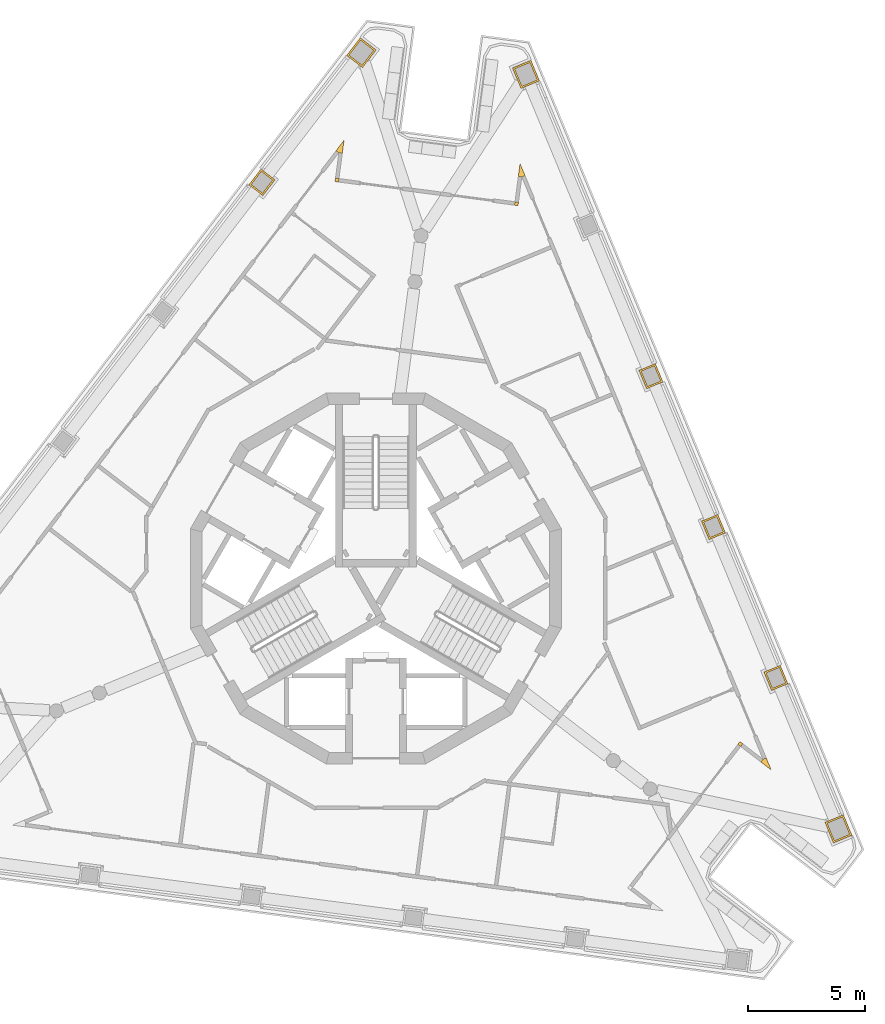
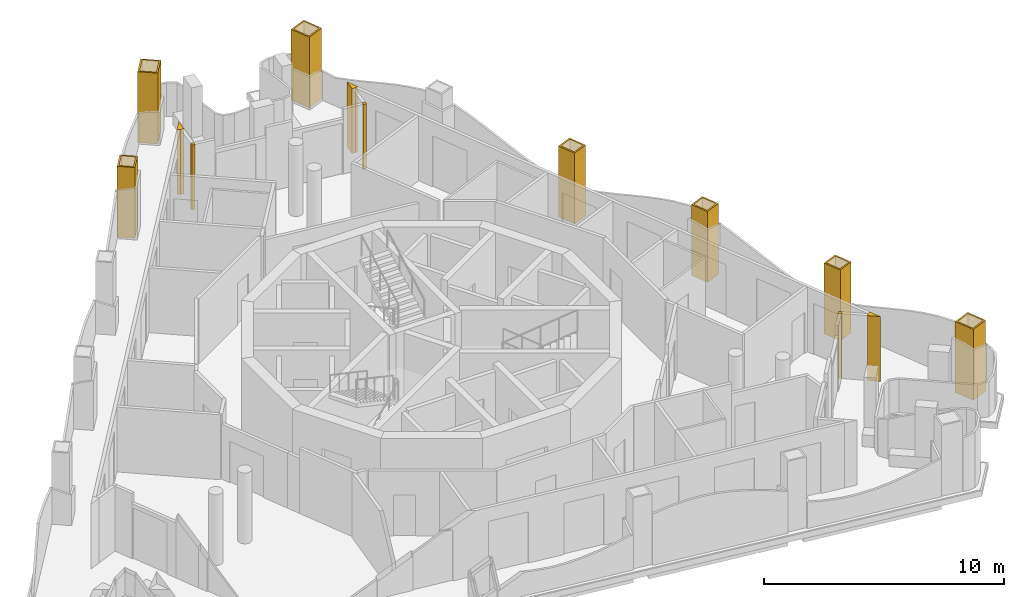
# One storey, part 11 of 12: 13 coverings.
"""IFC4 building model written with IfcOpenShell, lengths in metres."""

from ifc_helpers import new_model, si_unit, direction, frame, origin, place, context, subcontext, project, spatial, polyline, outline, extrude, material, layer, layer_set, type_object, element, save


model = new_model("IFC4")

# Units and contexts
model_context = context("Model", 3, precision=1e-05, world=origin(), true_north=direction((0.0, 1.0)))
body_context = subcontext(model_context, "Body", "Model", "MODEL_VIEW")
ifc_project = project(units=[si_unit("LENGTHUNIT", "METRE"), si_unit("AREAUNIT", "SQUARE_METRE"), si_unit("VOLUMEUNIT", "CUBIC_METRE"), si_unit("PLANEANGLEUNIT", "RADIAN"), si_unit("MASSUNIT", "GRAM", prefix="KILO")], contexts=[model_context])

# Site, building, storey
site_placement = place(None, origin())
site = spatial("IfcSite", under=ifc_project, at=site_placement, CompositionType="ELEMENT")
building_placement = place(site_placement, origin())
building = spatial("IfcBuilding", under=site, at=building_placement, Name="Trine Commons Tower", CompositionType="ELEMENT")
storey_placement = place(building_placement, frame((0.0, 0.0, 282.60009765625)))
storey = spatial("IfcBuildingStorey", under=building, at=storey_placement, Name="L74", CompositionType="ELEMENT", Elevation=282.60009765625)

# Coverings
ifc_material_1 = material(Name="Aluminium-framed insulated wall panel", Category="aluminium")
ifc_layer_1 = layer(ifc_material_1, 0.14990234375)
ifc_layer_set_1 = layer_set([ifc_layer_1], Name="Aluminium-framed insulated wall panel")
covering_type_1 = type_object("IfcCoveringType", Name="Glazing corner post, aluminium", PredefinedType="CLADDING", material=ifc_layer_set_1)
covering_1_placement = place(storey_placement, origin())
element("IfcCovering", 1, at=covering_1_placement, inside=storey, type_object=covering_type_1, Name="Glazing corner post 8-02", PredefinedType="CLADDING", context=body_context, shape_type="SweptSolid", body=[
    extrude(outline(polyline([(78.41845703125, 80.671875), (78.567138671875, 80.652099609375), (78.64013671875, 81.207275390625), (78.29931640625, 80.76318359375), (78.41845703125, 80.671875), (78.41845703125, 80.671875)])), origin(), (0.0, 0.0, 1.0), 3.2998046875),
])
covering_2_placement = place(storey_placement, origin())
element("IfcCovering", 2, at=covering_2_placement, inside=storey, type_object=covering_type_1, Name="Glazing corner post 8-03", PredefinedType="CLADDING", context=body_context, shape_type="SweptSolid", body=[
    extrude(outline(polyline([(78.40576171875, 79.427001953125), (78.42529296875, 79.57568359375), (78.276611328125, 79.59521484375), (78.257080078125, 79.446533203125), (78.40576171875, 79.427001953125)])), origin(), (0.0, 0.0, 1.0), 3.2998046875),
])
covering_3_placement = place(storey_placement, origin())
element("IfcCovering", 3, at=covering_3_placement, inside=storey, type_object=covering_type_1, Name="Glazing corner post 8-04", PredefinedType="CLADDING", context=body_context, shape_type="SweptSolid", body=[
    extrude(outline(polyline([(85.9208984375, 78.437744140625), (86.069580078125, 78.418212890625), (86.089111328125, 78.56689453125), (85.9404296875, 78.58642578125), (85.9208984375, 78.437744140625)])), origin(), (0.0, 0.0, 1.0), 3.2998046875),
])
covering_4_placement = place(storey_placement, origin())
element("IfcCovering", 4, at=covering_4_placement, inside=storey, type_object=covering_type_1, Name="Glazing corner post 8-05", PredefinedType="CLADDING", context=body_context, shape_type="SweptSolid", body=[
    extrude(outline(polyline([(86.082275390625, 79.662841796875), (86.23095703125, 79.643310546875), (86.369384765625, 79.70068359375), (86.1552734375, 80.2177734375), (86.082275390625, 79.662841796875)])), origin(), (0.0, 0.0, 1.0), 3.2998046875),
])
covering_5_placement = place(storey_placement, origin())
element("IfcCovering", 5, at=covering_5_placement, inside=storey, type_object=covering_type_1, Name="Glazing corner post 8-06", PredefinedType="CLADDING", context=body_context, shape_type="SweptSolid", body=[
    extrude(outline(polyline([(96.436767578125, 54.664794921875), (96.880859375, 54.32421875), (96.66650390625, 54.84130859375), (96.528076171875, 54.783935546875), (96.436767578125, 54.664794921875)])), origin(), (0.0, 0.0, 1.0), 3.2998046875),
])
covering_6_placement = place(storey_placement, origin())
element("IfcCovering", 6, at=covering_6_placement, inside=storey, type_object=covering_type_1, Name="Glazing corner post 8-07", PredefinedType="CLADDING", context=body_context, shape_type="SweptSolid", body=[
    extrude(outline(polyline([(95.456298828125, 55.4169921875), (95.575439453125, 55.32568359375), (95.666748046875, 55.44482421875), (95.547607421875, 55.5361328125), (95.456298828125, 55.4169921875)])), origin(), (0.0, 0.0, 1.0), 3.2998046875),
])
ifc_material_2 = material(Name="Limestone, honed", Category="masonry")
ifc_layer_2 = layer(ifc_material_2, 0.074951171875)
ifc_layer_set_2 = layer_set([ifc_layer_2], Name="Limestone, honed")
covering_type_2 = type_object("IfcCoveringType", Name="Limestone column cladding 75", PredefinedType="CLADDING", material=ifc_layer_set_2)
covering_7_placement = place(storey_placement, origin())
element("IfcCovering", 7, at=covering_7_placement, inside=storey, type_object=covering_type_2, Name="Limestone pier cladding 8-11", PredefinedType="CLADDING", context=body_context, shape_type="SweptSolid", body=[
    extrude(outline(polyline([(75.691650390625, 79.52490234375), (75.0966796875, 79.9814453125), (74.579345703125, 79.30712890625), (75.17431640625, 78.8505859375), (75.691650390625, 79.52490234375)]), holes=[polyline([(75.586669921875, 79.510986328125), (75.110595703125, 79.876220703125), (74.684326171875, 79.321044921875), (75.160400390625, 78.955810546875), (75.586669921875, 79.510986328125)])]), origin(), (0.0, 0.0, 1.0), 3.599853515625),
])
covering_8_placement = place(storey_placement, origin())
element("IfcCovering", 8, at=covering_8_placement, inside=storey, type_object=covering_type_2, Name="Limestone pier cladding 8-12", PredefinedType="CLADDING", context=body_context, shape_type="SweptSolid", body=[
    extrude(outline(polyline([(80.006591796875, 85.06591796875), (79.332275390625, 85.58349609375), (78.75390625, 84.829833984375), (79.42822265625, 84.312255859375), (80.006591796875, 85.06591796875)]), holes=[polyline([(79.9013671875, 85.05224609375), (79.345947265625, 85.478271484375), (78.85888671875, 84.843505859375), (79.414306640625, 84.41748046875), (79.9013671875, 85.05224609375)])]), origin(), (0.0, 0.0, 1.0), 3.599853515625),
])
covering_9_placement = place(storey_placement, origin())
element("IfcCovering", 9, at=covering_9_placement, inside=storey, type_object=covering_type_2, Name="Limestone pier cladding 8-13", PredefinedType="CLADDING", context=body_context, shape_type="SweptSolid", body=[
    extrude(outline(polyline([(86.619384765625, 84.6240234375), (85.834228515625, 84.298828125), (86.19775390625, 83.421142578125), (86.98291015625, 83.746337890625), (86.619384765625, 84.6240234375)]), holes=[polyline([(86.578857421875, 84.526123046875), (85.93212890625, 84.25830078125), (86.23828125, 83.51904296875), (86.885009765625, 83.787109375), (86.578857421875, 84.526123046875)])]), origin(), (0.0, 0.0, 1.0), 3.599853515625),
])
covering_10_placement = place(storey_placement, origin())
element("IfcCovering", 10, at=covering_10_placement, inside=storey, type_object=covering_type_2, Name="Limestone pier cladding 8-15", PredefinedType="CLADDING", context=body_context, shape_type="SweptSolid", body=[
    extrude(outline(polyline([(91.92919921875, 71.6748046875), (91.236083984375, 71.3876953125), (91.5615234375, 70.6025390625), (92.25439453125, 70.8896484375), (91.92919921875, 71.6748046875)]), holes=[polyline([(91.888427734375, 71.576904296875), (91.334228515625, 71.347412109375), (91.60205078125, 70.700439453125), (92.156494140625, 70.93017578125), (91.888427734375, 71.576904296875)])]), origin(), (0.0, 0.0, 1.0), 3.599853515625),
])
covering_11_placement = place(storey_placement, origin())
element("IfcCovering", 11, at=covering_11_placement, inside=storey, type_object=covering_type_2, Name="Limestone pier cladding 8-16", PredefinedType="CLADDING", context=body_context, shape_type="SweptSolid", body=[
    extrude(outline(polyline([(94.597412109375, 65.23291015625), (93.904541015625, 64.94580078125), (94.229736328125, 64.160400390625), (94.922607421875, 64.447509765625), (94.597412109375, 65.23291015625)]), holes=[polyline([(94.556884765625, 65.135009765625), (94.00244140625, 64.9052734375), (94.2705078125, 64.258544921875), (94.82470703125, 64.488037109375), (94.556884765625, 65.135009765625)])]), origin(), (0.0, 0.0, 1.0), 3.599853515625),
])
covering_12_placement = place(storey_placement, origin())
element("IfcCovering", 12, at=covering_12_placement, inside=storey, type_object=covering_type_2, Name="Limestone pier cladding 8-17", PredefinedType="CLADDING", context=body_context, shape_type="SweptSolid", body=[
    extrude(outline(polyline([(97.265625, 58.791015625), (96.57275390625, 58.50390625), (96.898193359375, 57.718505859375), (97.591064453125, 58.005615234375), (97.265625, 58.791015625)]), holes=[polyline([(97.22509765625, 58.69287109375), (96.6708984375, 58.46337890625), (96.938720703125, 57.81640625), (97.492919921875, 58.046142578125), (97.22509765625, 58.69287109375)])]), origin(), (0.0, 0.0, 1.0), 3.599853515625),
])
covering_13_placement = place(storey_placement, origin())
element("IfcCovering", 13, at=covering_13_placement, inside=storey, type_object=covering_type_2, Name="Limestone pier cladding 8-18", PredefinedType="CLADDING", context=body_context, shape_type="SweptSolid", body=[
    extrude(outline(polyline([(99.961181640625, 52.414306640625), (99.17578125, 52.089111328125), (99.539306640625, 51.211181640625), (100.32470703125, 51.53662109375), (99.961181640625, 52.414306640625)]), holes=[polyline([(99.920654296875, 52.31640625), (99.27392578125, 52.04833984375), (99.580078125, 51.309326171875), (100.226806640625, 51.5771484375), (99.920654296875, 52.31640625)])]), origin(), (0.0, 0.0, 1.0), 3.599853515625),
])

save(model, "model.ifc")
